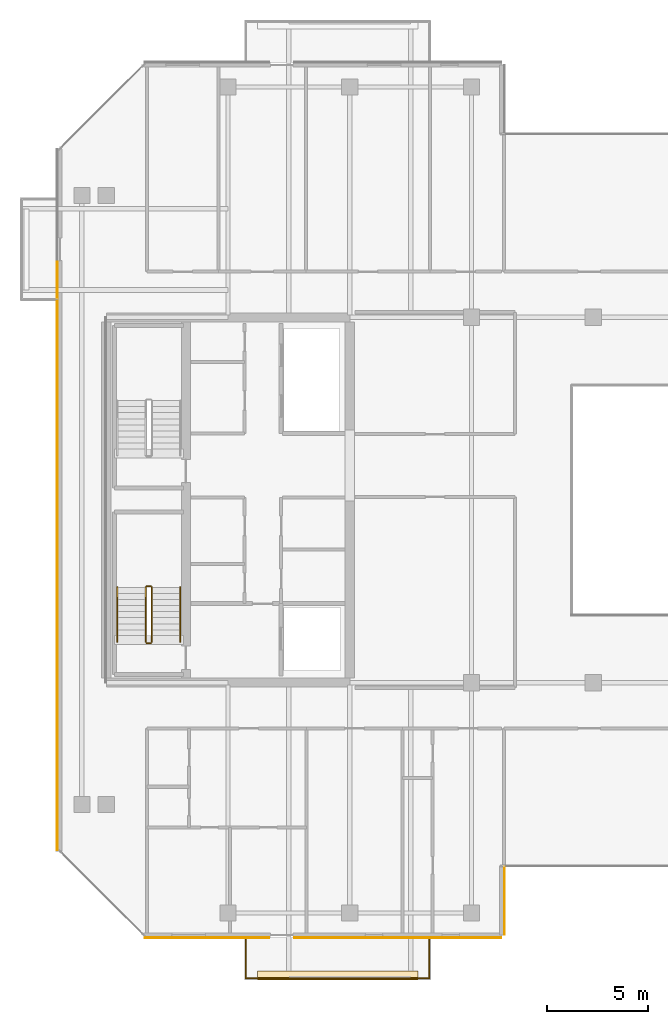
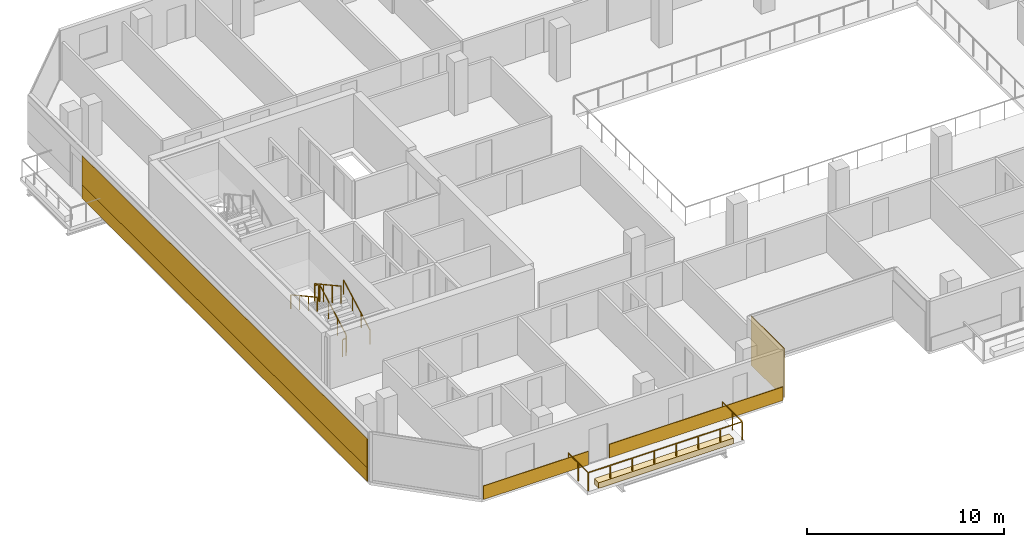
# One storey, part 25 of 29: 7 railings, 6 coverings.
"""IFC4 building model written with IfcOpenShell, lengths in metres."""

from ifc_helpers import new_model, si_unit, direction, frame, origin, origin_2d, place, context, subcontext, project, spatial, polyline, rectangle, outline, extrude, material, layer, layer_set, type_object, element, save


model = new_model("IFC4")

# Units and contexts
model_context = context("Model", 3, precision=1e-05, world=origin(), true_north=direction((0.0, 1.0)))
body_context = subcontext(model_context, "Body", "Model", "MODEL_VIEW")
ifc_project = project(units=[si_unit("LENGTHUNIT", "METRE"), si_unit("AREAUNIT", "SQUARE_METRE"), si_unit("VOLUMEUNIT", "CUBIC_METRE"), si_unit("PLANEANGLEUNIT", "RADIAN"), si_unit("MASSUNIT", "GRAM", prefix="KILO")], contexts=[model_context])

# Site, building, storey
site_placement = place(None, origin())
site = spatial("IfcSite", under=ifc_project, at=site_placement, CompositionType="ELEMENT")
building_placement = place(site_placement, origin())
building = spatial("IfcBuilding", under=site, at=building_placement, Name="Tanjung Sevakor Pilgrim Tower", CompositionType="ELEMENT")
storey_placement = place(building_placement, frame((0.0, 0.0, 188.429931640625)))
storey = spatial("IfcBuildingStorey", under=building, at=storey_placement, Name="L52", CompositionType="ELEMENT", Elevation=188.429931640625)

# Coverings
ifc_material_1 = material(Name="Reconstructed Limestone Cladding", Category="masonry")
ifc_layer_1 = layer(ifc_material_1, 0.044921875)
ifc_layer_set_1 = layer_set([ifc_layer_1], Name="COV-CLAD-LIMESTONE")
covering_type_1 = type_object("IfcCoveringType", Name="COV-CLAD-LIMESTONE", PredefinedType="CLADDING", material=ifc_layer_set_1)
covering_1_placement = place(storey_placement, frame((28.962890625, 12.027587890625, 0.01025390625), z_axis=(0.0, 0.0, 1.0), x_axis=(1.0, 0.0, 0.0)))
element("IfcCovering", 1, at=covering_1_placement, inside=storey, type_object=covering_type_1, Name="L52 Warm Limestone Sill Spandrel EW-L52-MAIN-1-1", PredefinedType="CLADDING", context=body_context, shape_type="SweptSolid", body=[
    extrude(rectangle(XDim=6.154296875, YDim=0.044921875, at=origin_2d()), origin(), (0.0, 0.0, 1.0), 0.840087890625),
])
covering_2_placement = place(storey_placement, frame((38.35498046875, 12.027587890625, 0.01025390625), z_axis=(0.0, 0.0, 1.0), x_axis=(1.0, 0.0, 0.0)))
element("IfcCovering", 2, at=covering_2_placement, inside=storey, type_object=covering_type_1, Name="L52 Warm Limestone Sill Spandrel EW-L52-MAIN-1-2", PredefinedType="CLADDING", context=body_context, shape_type="SweptSolid", body=[
    extrude(rectangle(XDim=10.18994140625, YDim=0.044921875, at=origin_2d()), origin(), (0.0, 0.0, 1.0), 0.840087890625),
])
covering_3_placement = place(storey_placement, frame((43.62255859375, 13.860107421875, 0.02001953125), z_axis=(0.0, 0.0, 1.0), x_axis=(0.0, 1.0, 0.0)))
element("IfcCovering", 3, at=covering_3_placement, inside=storey, type_object=covering_type_1, Name="L52 Warm Limestone Wall Cladding EW-L52-MAIN-2", PredefinedType="CLADDING", context=body_context, shape_type="SweptSolid", body=[
    extrude(rectangle(XDim=3.360107421875, YDim=0.044921875, at=origin_2d()), origin(), (0.0, 0.0, 1.0), 3.0400390625),
])
covering_4_placement = place(storey_placement, frame((21.577392578125, 30.837890625, 0.01025390625), z_axis=(0.0, 0.0, 1.0), x_axis=(0.0, -1.0, 0.0)))
element("IfcCovering", 4, at=covering_4_placement, inside=storey, type_object=covering_type_1, Name="L52 Warm Limestone Sill Spandrel EW-L52-MAIN-15-2", PredefinedType="CLADDING", context=body_context, shape_type="SweptSolid", body=[
    extrude(rectangle(XDim=29.00439453125, YDim=0.044921875, at=origin_2d()), origin(), (0.0, 0.0, 1.0), 0.840087890625),
])
covering_5_placement = place(storey_placement, frame((21.577392578125, 30.8427734375, 0.85009765625), z_axis=(0.0, 0.0, 1.0), x_axis=(0.0, -1.0, 0.0)))
element("IfcCovering", 5, at=covering_5_placement, inside=storey, type_object=covering_type_1, Name="L52 Warm Limestone Pier Panel EW-L52-MAIN-15-2", PredefinedType="CLADDING", context=body_context, shape_type="SweptSolid", body=[
    extrude(rectangle(XDim=29.014404296875, YDim=0.044921875, at=origin_2d()), origin(), (0.0, 0.0, 1.0), 1.81005859375),
])
ifc_material_2 = material(Name="Vegetated Modular Planter Assembly", Category="organic")
ifc_layer_2 = layer(ifc_material_2, 0.35009765625)
ifc_layer_set_2 = layer_set([ifc_layer_2], Name="COV-GRN-TROUGH")
covering_type_2 = type_object("IfcCoveringType", Name="COV-GRN-TROUGH", PredefinedType="CLADDING", material=ifc_layer_set_2)
covering_6_placement = place(storey_placement, origin())
element("IfcCovering", 6, at=covering_6_placement, inside=storey, type_object=covering_type_2, Name="L52 Planted Landscape Hedge Trough BGRN-L52-MAIN-S1", PredefinedType="CLADDING", context=body_context, shape_type="SweptSolid", body=[
    extrude(outline(polyline([(31.449951171875, 9.949951171875), (39.35009765625, 9.949951171875), (39.35009765625, 10.389892578125), (31.449951171875, 10.389892578125), (31.449951171875, 9.949951171875)])), origin(), (0.0, 0.0, 1.0), 0.35009765625),
])

# Railings
ifc_material_3 = material(Name="Laminated Glass and Aluminium", Category="aluminium")
railing_type_1 = type_object("IfcRailingType", Name="RL-BAL-BALUST", PredefinedType="BALUSTRADE", material=ifc_material_3)
railing_1_placement = place(storey_placement, frame((30.8798828125, 12.050048828125, 0.0)))
element("IfcRailing", 7, at=railing_1_placement, inside=storey, type_object=railing_type_1, Name="L52 Loggia Balustrade MAIN-S1", PredefinedType="BALUSTRADE", context=body_context, shape_type="SweptSolid", body=[
    extrude(rectangle(XDim=0.0479, YDim=0.0479), frame((0.0, 0.0, 1.1259765625), z_axis=(0.0, -1.0, 0.0), x_axis=(1.0, 0.0, 0.0)), (0.0, 0.0, 1.0), 2.02001953125),
    extrude(rectangle(XDim=0.0479, YDim=0.0479), frame((0.0, -2.02001953125, 1.1259765625), z_axis=(1.0, 0.0, 0.0), x_axis=(0.0, 1.0, 0.0)), (0.0, 0.0, 1.0), 9.0400390625),
    extrude(rectangle(XDim=0.0479, YDim=0.0479), frame((9.0400390625, -2.02001953125, 1.1259765625), z_axis=(0.0, 1.0, 0.0), x_axis=(-1.0, 0.0, 0.0)), (0.0, 0.0, 1.0), 2.02001953125),
    extrude(rectangle(XDim=0.042, YDim=0.042), origin(), (0.0, 0.0, 1.0), 1.101806640625),
    extrude(rectangle(XDim=0.042, YDim=0.042), frame((0.0, -1.010009765625, 0.0)), (0.0, 0.0, 1.0), 1.101806640625),
    extrude(rectangle(XDim=0.042, YDim=0.042), frame((0.0, -2.02001953125, 0.0)), (0.0, 0.0, 1.0), 1.101806640625),
    extrude(rectangle(XDim=0.042, YDim=0.042), frame((1.29150390625, -2.02001953125, 0.0)), (0.0, 0.0, 1.0), 1.101806640625),
    extrude(rectangle(XDim=0.042, YDim=0.042), frame((2.582763671875, -2.02001953125, 0.0)), (0.0, 0.0, 1.0), 1.101806640625),
    extrude(rectangle(XDim=0.042, YDim=0.042), frame((3.874267578125, -2.02001953125, 0.0)), (0.0, 0.0, 1.0), 1.101806640625),
    extrude(rectangle(XDim=0.042, YDim=0.042), frame((5.165771484375, -2.02001953125, 0.0)), (0.0, 0.0, 1.0), 1.101806640625),
    extrude(rectangle(XDim=0.042, YDim=0.042), frame((6.457275390625, -2.02001953125, 0.0)), (0.0, 0.0, 1.0), 1.101806640625),
    extrude(rectangle(XDim=0.042, YDim=0.042), frame((7.74853515625, -2.02001953125, 0.0)), (0.0, 0.0, 1.0), 1.101806640625),
    extrude(rectangle(XDim=0.042, YDim=0.042), frame((9.0400390625, -2.02001953125, 0.0)), (0.0, 0.0, 1.0), 1.101806640625),
    extrude(rectangle(XDim=0.042, YDim=0.042), frame((9.0400390625, -1.010009765625, 0.0)), (0.0, 0.0, 1.0), 1.101806640625),
    extrude(rectangle(XDim=0.042, YDim=0.042), frame((9.0400390625, 0.0, 0.0)), (0.0, 0.0, 1.0), 1.101806640625),
])
ifc_material_4 = material(Name="Steel S355J2", Category="steel")
railing_type_2 = type_object("IfcRailingType", Name="RL-STAIR-GUARD", PredefinedType="GUARDRAIL", material=ifc_material_4)
railing_2_placement = place(storey_placement, frame((26.25, 26.60009765625, 0.1650390625)))
element("IfcRailing", 8, at=railing_2_placement, inside=storey, type_object=railing_type_2, Name="L52 TS-W1 stair guard 1", PredefinedType="GUARDRAIL", context=body_context, shape_type="SweptSolid", body=[
    extrude(rectangle(XDim=0.0479, YDim=0.0479), frame((0.0, 0.0, 1.076171875), z_axis=(0.0, 0.876197507361, 0.481952205197), x_axis=(-1.0, 0.0, 0.0)), (0.0, 0.0, 1.0), 3.08154296875),
    extrude(rectangle(XDim=0.042, YDim=0.042), origin(), (0.0, 0.0, 1.0), 1.052001953125),
    extrude(rectangle(XDim=0.042, YDim=0.042), frame((0.0, 0.89990234375, 0.4951171875)), (0.0, 0.0, 1.0), 1.052001953125),
    extrude(rectangle(XDim=0.042, YDim=0.042), frame((0.0, 1.800048828125, 0.989990234375)), (0.0, 0.0, 1.0), 1.052001953125),
    extrude(rectangle(XDim=0.042, YDim=0.042), frame((0.0, 2.699951171875, 1.485107421875)), (0.0, 0.0, 1.0), 1.052001953125),
])
railing_3_placement = place(storey_placement, frame((26.199951171875, 29.35009765625, 1.650146484375)))
element("IfcRailing", 9, at=railing_3_placement, inside=storey, type_object=railing_type_2, Name="L52 TS-W1 stair guard 2", PredefinedType="GUARDRAIL", context=body_context, shape_type="SweptSolid", body=[
    extrude(rectangle(XDim=0.0479, YDim=0.0479), frame((0.0, 0.0, 1.076171875), z_axis=(-1.0, 0.0, 0.0), x_axis=(0.0, -1.0, 0.0)), (0.0, 0.0, 1.0), 0.199951171875),
    extrude(rectangle(XDim=0.042, YDim=0.042), origin(), (0.0, 0.0, 1.0), 1.052001953125),
    extrude(rectangle(XDim=0.042, YDim=0.042), frame((-0.199951171875, 0.0, 0.0)), (0.0, 0.0, 1.0), 1.052001953125),
])
railing_4_placement = place(storey_placement, frame((25.949951171875, 29.300048828125, 1.815185546875)))
element("IfcRailing", 10, at=railing_4_placement, inside=storey, type_object=railing_type_2, Name="L52 TS-W1 stair guard 3", PredefinedType="GUARDRAIL", context=body_context, shape_type="SweptSolid", body=[
    extrude(rectangle(XDim=0.0479, YDim=0.0479), frame((0.0, 0.0, 1.076171875), z_axis=(0.0, -0.876230963923, 0.481891375584), x_axis=(1.0, 0.0, 0.0)), (0.0, 0.0, 1.0), 3.081298828125),
    extrude(rectangle(XDim=0.042, YDim=0.042), origin(), (0.0, 0.0, 1.0), 1.052001953125),
    extrude(rectangle(XDim=0.042, YDim=0.042), frame((0.0, -0.89990234375, 0.494873046875)), (0.0, 0.0, 1.0), 1.052001953125),
    extrude(rectangle(XDim=0.042, YDim=0.042), frame((0.0, -1.800048828125, 0.989990234375)), (0.0, 0.0, 1.0), 1.052001953125),
    extrude(rectangle(XDim=0.042, YDim=0.042), frame((0.0, -2.699951171875, 1.48486328125)), (0.0, 0.0, 1.0), 1.052001953125),
])
railing_5_placement = place(storey_placement, frame((26.199951171875, 26.550048828125, 0.0)))
element("IfcRailing", 11, at=railing_5_placement, inside=storey, type_object=railing_type_2, Name="L52 TS-W1 stair guard 4", PredefinedType="GUARDRAIL", context=body_context, shape_type="SweptSolid", body=[
    extrude(rectangle(XDim=0.0479, YDim=0.0479), frame((0.0, 0.0, 1.076171875), z_axis=(-1.0, 0.0, 0.0), x_axis=(0.0, -1.0, 0.0)), (0.0, 0.0, 1.0), 0.199951171875),
    extrude(rectangle(XDim=0.042, YDim=0.042), origin(), (0.0, 0.0, 1.0), 1.052001953125),
    extrude(rectangle(XDim=0.042, YDim=0.042), frame((-0.199951171875, 0.0, 0.0)), (0.0, 0.0, 1.0), 1.052001953125),
])
ifc_material_5 = material(Name="Steel S355J2", Category="steel")
railing_type_3 = type_object("IfcRailingType", Name="RL-STAIR-HAND", PredefinedType="HANDRAIL", material=ifc_material_5)
railing_6_placement = place(storey_placement, frame((27.64990234375, 26.60009765625, 0.1650390625)))
element("IfcRailing", 12, at=railing_6_placement, inside=storey, type_object=railing_type_3, Name="L52 TS-W1 stair handrail 1", PredefinedType="HANDRAIL", context=body_context, shape_type="SweptSolid", body=[
    extrude(rectangle(XDim=0.0479, YDim=0.0479), frame((0.0, 0.0, 0.8759765625), z_axis=(0.0, 0.876197507361, 0.481952205197), x_axis=(-1.0, 0.0, 0.0)), (0.0, 0.0, 1.0), 3.08154296875),
    extrude(rectangle(XDim=0.042, YDim=0.042), origin(), (0.0, 0.0, 1.0), 0.851806640625),
    extrude(rectangle(XDim=0.042, YDim=0.042), frame((0.0, 0.89990234375, 0.4951171875)), (0.0, 0.0, 1.0), 0.851806640625),
    extrude(rectangle(XDim=0.042, YDim=0.042), frame((0.0, 1.800048828125, 0.989990234375)), (0.0, 0.0, 1.0), 0.851806640625),
    extrude(rectangle(XDim=0.042, YDim=0.042), frame((0.0, 2.699951171875, 1.485107421875)), (0.0, 0.0, 1.0), 0.851806640625),
])
railing_7_placement = place(storey_placement, frame((24.550048828125, 29.300048828125, 1.815185546875)))
element("IfcRailing", 13, at=railing_7_placement, inside=storey, type_object=railing_type_3, Name="L52 TS-W1 stair handrail 2", PredefinedType="HANDRAIL", context=body_context, shape_type="SweptSolid", body=[
    extrude(rectangle(XDim=0.0479, YDim=0.0479), frame((0.0, 0.0, 0.8759765625), z_axis=(0.0, -0.876230963923, 0.481891375584), x_axis=(1.0, 0.0, 0.0)), (0.0, 0.0, 1.0), 3.081298828125),
    extrude(rectangle(XDim=0.042, YDim=0.042), origin(), (0.0, 0.0, 1.0), 0.851806640625),
    extrude(rectangle(XDim=0.042, YDim=0.042), frame((0.0, -0.89990234375, 0.494873046875)), (0.0, 0.0, 1.0), 0.851806640625),
    extrude(rectangle(XDim=0.042, YDim=0.042), frame((0.0, -1.800048828125, 0.989990234375)), (0.0, 0.0, 1.0), 0.851806640625),
    extrude(rectangle(XDim=0.042, YDim=0.042), frame((0.0, -2.699951171875, 1.48486328125)), (0.0, 0.0, 1.0), 0.851806640625),
])

save(model, "model.ifc")
